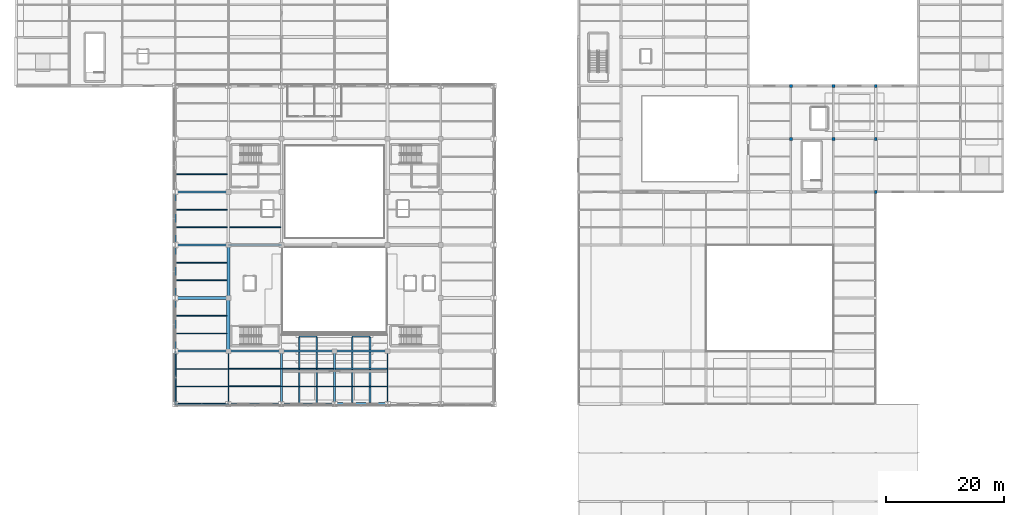
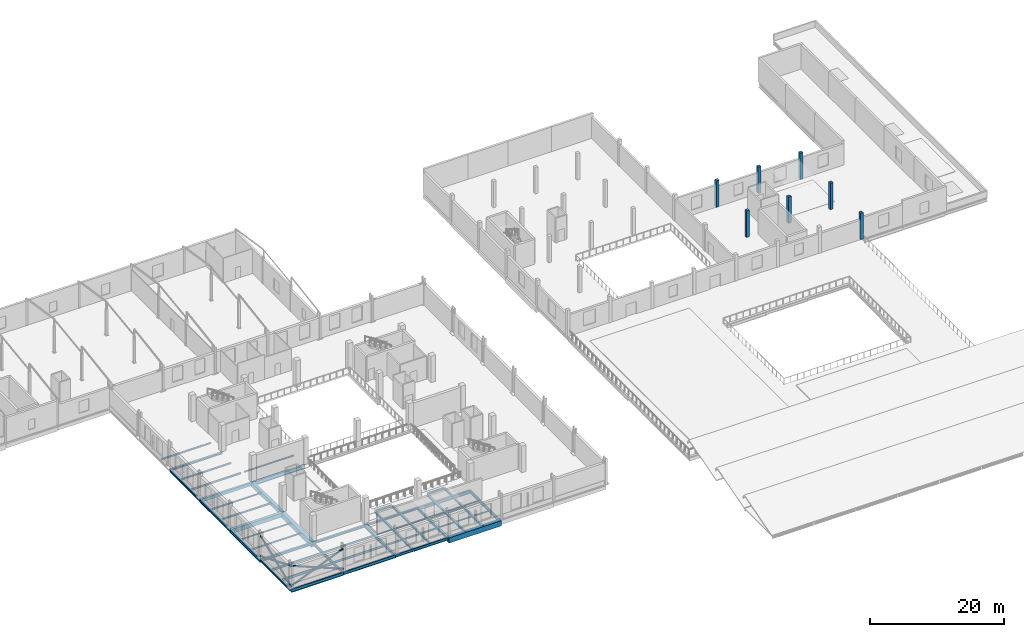
# One storey, part 8 of 54: 44 beams, 7 columns, 6 members.
"""IFC4 building model written with IfcOpenShell, lengths in metres."""

from ifc_helpers import new_model, si_unit, direction, frame, origin, origin_2d, place, context, subcontext, project, spatial, rectangle, hollow_circle, i_section, extrude, material, material_profile, profile_set, type_object, element, save


model = new_model("IFC4")

# Units and contexts
model_context = context("Model", 3, precision=1e-05, world=origin(), true_north=direction((0.0, 1.0)))
body_context = subcontext(model_context, "Body", "Model", "MODEL_VIEW")
ifc_project = project(units=[si_unit("LENGTHUNIT", "METRE"), si_unit("AREAUNIT", "SQUARE_METRE"), si_unit("VOLUMEUNIT", "CUBIC_METRE"), si_unit("PLANEANGLEUNIT", "RADIAN"), si_unit("MASSUNIT", "GRAM", prefix="KILO")], contexts=[model_context])

# Site, building, storey
site_placement = place(None, origin())
site = spatial("IfcSite", under=ifc_project, at=site_placement, CompositionType="ELEMENT")
building_placement = place(site_placement, origin())
building = spatial("IfcBuilding", under=site, at=building_placement, Name="Sundgate Opera House", CompositionType="ELEMENT")
storey_placement = place(building_placement, frame((0.0, 0.0, 16.800048828125)))
storey = spatial("IfcBuildingStorey", under=building, at=storey_placement, Name="L03", CompositionType="ELEMENT", Elevation=16.800048828125)

# Columns
ifc_material_1 = material(Name="Concrete C35/45", Category="concrete")
ifc_material_profile_1 = material_profile(ifc_material_1, rectangle(XDim=0.5, YDim=0.5, at=origin_2d()), Name="RC 500x500")
ifc_profile_set_1 = profile_set([ifc_material_profile_1], Name="Concrete C35/45")
column_type = type_object("IfcColumnType", Name="CL-RC-500", PredefinedType="COLUMN", material=ifc_profile_set_1)
for number, where, z_axis, x_axis, name in (
    (1, (131.39990234375, 78.0, 0.0), (0.0, 0.0, 1.0), (1.0, 0.0, 0.0), "L03 Column C0981"),
    (2, (131.39990234375, 87.0, 0.0), (0.0, 0.0, 1.0), (1.0, 0.0, 0.0), "L03 Column C0987"),
    (3, (138.60009765625, 78.0, 0.0), (0.0, 0.0, 1.0), (1.0, 0.0, 0.0), "L03 Column C1035"),
    (4, (138.60009765625, 87.0, 0.0), (0.0, 0.0, 1.0), (1.0, 0.0, 0.0), "L03 Column C1041"),
    (5, (145.800048828125, 69.0, 0.0), (0.0, 0.0, 1.0), (1.0, 0.0, 0.0), "L03 Column C1083"),
    (6, (145.800048828125, 78.0, 0.0), (0.0, 0.0, 1.0), (1.0, 0.0, 0.0), "L03 Column C1089"),
    (7, (145.800048828125, 87.0, 0.0), (0.0, 0.0, 1.0), (1.0, 0.0, 0.0), "L03 Column C1095"),
):
    element("IfcColumn", number, at=place(storey_placement, frame(where, z_axis=z_axis, x_axis=x_axis)), inside=storey, type_object=column_type, Name=name, PredefinedType="COLUMN", context=body_context, shape_type="SweptSolid", body=[
        extrude(rectangle(XDim=0.5, YDim=0.5, at=origin_2d()), origin(), (0.0, 0.0, 1.0), 4.800048828125),
    ])

# Beams
ifc_material_2 = material(Name="Steel S355J2", Category="steel")
ifc_material_profile_2 = material_profile(ifc_material_2, i_section(OverallWidth=0.300048828125, OverallDepth=0.35009765625, WebThickness=0.010009765625, FlangeThickness=0.017578125, at=origin_2d()), Name="HEA 360")
ifc_profile_set_2 = profile_set([ifc_material_profile_2], Name="Steel S355J2")
beam_type_1 = type_object("IfcBeamType", Name="BM-GR-HEA360", PredefinedType="BEAM", material=ifc_profile_set_2)
beam_1_placement = place(storey_placement, frame((27.0, 69.0, -0.455078125), z_axis=(1.0, 0.0, 0.0), x_axis=(0.0, 1.0, 0.0)))
element("IfcBeam", 8, at=beam_1_placement, inside=storey, type_object=beam_type_1, Name="L03 Primary E-W Girder B2621", PredefinedType="BEAM", context=body_context, shape_type="SweptSolid", body=[
    extrude(i_section(OverallWidth=0.300048828125, OverallDepth=0.35009765625, WebThickness=0.010009765625, FlangeThickness=0.017578125, at=origin_2d()), origin(), (0.0, 0.0, 1.0), 9.0),
])
ifc_material_3 = material(Name="Steel S355J2", Category="steel")
ifc_material_profile_3 = material_profile(ifc_material_3, i_section(OverallWidth=0.300048828125, OverallDepth=0.43994140625, WebThickness=0.011474609375, FlangeThickness=0.02099609375, at=origin_2d()), Name="HEA 450")
ifc_profile_set_3 = profile_set([ifc_material_profile_3], Name="Steel S355J2")
beam_type_2 = type_object("IfcBeamType", Name="BM-GR-HEA450", PredefinedType="BEAM", material=ifc_profile_set_3)
for number, where, z_axis, x_axis, name in (
    (9, (27.0, 60.0, -0.5), (0.0, 1.0, 0.0), (-1.0, 0.0, 0.0), "L03 Primary N-S Girder B2465"),
    (10, (54.0, 33.0, -0.5), (0.0, 1.0, 0.0), (-1.0, 0.0, 0.0), "L03 Primary N-S Girder B2487"),
):
    element("IfcBeam", number, at=place(storey_placement, frame(where, z_axis=z_axis, x_axis=x_axis)), inside=storey, type_object=beam_type_2, Name=name, PredefinedType="BEAM", context=body_context, shape_type="SweptSolid", body=[
        extrude(i_section(OverallWidth=0.300048828125, OverallDepth=0.43994140625, WebThickness=0.011474609375, FlangeThickness=0.02099609375, at=origin_2d()), origin(), (0.0, 0.0, 1.0), 9.0),
    ])
ifc_material_4 = material(Name="Steel S355J2", Category="steel")
ifc_material_profile_4 = material_profile(ifc_material_4, i_section(OverallWidth=0.300048828125, OverallDepth=0.489990234375, WebThickness=0.011962890625, FlangeThickness=0.02294921875, at=origin_2d()), Name="HEA 500")
ifc_profile_set_4 = profile_set([ifc_material_profile_4], Name="Steel S355J2")
beam_type_3 = type_object("IfcBeamType", Name="BM-GR-HEA500", PredefinedType="BEAM", material=ifc_profile_set_4)
beam_2_placement = place(storey_placement, frame((27.0, 51.0, -0.525146484375), z_axis=(0.0, 1.0, 0.0), x_axis=(-1.0, 0.0, 0.0)))
element("IfcBeam", 11, at=beam_2_placement, inside=storey, type_object=beam_type_3, Name="L03 Primary N-S Girder B2464", PredefinedType="BEAM", context=body_context, shape_type="SweptSolid", body=[
    extrude(i_section(OverallWidth=0.300048828125, OverallDepth=0.489990234375, WebThickness=0.011962890625, FlangeThickness=0.02294921875, at=origin_2d()), origin(), (0.0, 0.0, 1.0), 9.0),
])
ifc_material_5 = material(Name="Steel S355J2", Category="steel")
ifc_material_profile_5 = material_profile(ifc_material_5, i_section(OverallWidth=0.300048828125, OverallDepth=0.590087890625, WebThickness=0.012939453125, FlangeThickness=0.02490234375, at=origin_2d()), Name="HEA 600")
ifc_profile_set_5 = profile_set([ifc_material_profile_5], Name="Steel S355J2")
beam_type_4 = type_object("IfcBeamType", Name="BM-GR-HEA600", PredefinedType="BEAM", material=ifc_profile_set_5)
for number, where, z_axis, x_axis, name in (
    (12, (27.0, 42.0, -0.574951171875), (0.0, 1.0, 0.0), (-1.0, 0.0, 0.0), "L03 Primary N-S Girder B2463"),
    (13, (54.0, 42.0, -0.574951171875), (1.0, 0.0, 0.0), (0.0, 1.0, 0.0), "L03 Primary E-W Girder B2595"),
):
    element("IfcBeam", number, at=place(storey_placement, frame(where, z_axis=z_axis, x_axis=x_axis)), inside=storey, type_object=beam_type_4, Name=name, PredefinedType="BEAM", context=body_context, shape_type="SweptSolid", body=[
        extrude(i_section(OverallWidth=0.300048828125, OverallDepth=0.590087890625, WebThickness=0.012939453125, FlangeThickness=0.02490234375, at=origin_2d()), origin(), (0.0, 0.0, 1.0), 9.0),
    ])
ifc_material_6 = material(Name="Steel S355J2", Category="steel")
ifc_material_profile_6 = material_profile(ifc_material_6, i_section(OverallWidth=0.300048828125, OverallDepth=0.360107421875, WebThickness=0.012451171875, FlangeThickness=0.0224609375, at=origin_2d()), Name="HEB 360")
ifc_profile_set_6 = profile_set([ifc_material_profile_6], Name="Steel S355J2")
beam_type_5 = type_object("IfcBeamType", Name="BM-GR-HEB360", PredefinedType="BEAM", material=ifc_profile_set_6)
for number, where, z_axis, x_axis, name in (
    (14, (27.0, 33.0, -0.4599609375), (0.0, 1.0, 0.0), (-1.0, 0.0, 0.0), "L03 Primary N-S Girder B2462"),
    (15, (45.0, 42.0, -0.4599609375), (1.0, 0.0, 0.0), (0.0, 1.0, 0.0), "L03 Primary E-W Girder B2594"),
):
    element("IfcBeam", number, at=place(storey_placement, frame(where, z_axis=z_axis, x_axis=x_axis)), inside=storey, type_object=beam_type_5, Name=name, PredefinedType="BEAM", context=body_context, shape_type="SweptSolid", body=[
        extrude(i_section(OverallWidth=0.300048828125, OverallDepth=0.360107421875, WebThickness=0.012451171875, FlangeThickness=0.0224609375, at=origin_2d()), origin(), (0.0, 0.0, 1.0), 9.0),
    ])
ifc_material_7 = material(Name="Steel S355J2", Category="steel")
ifc_material_profile_7 = material_profile(ifc_material_7, i_section(OverallWidth=0.300048828125, OverallDepth=0.39990234375, WebThickness=0.013427734375, FlangeThickness=0.02392578125, at=origin_2d()), Name="HEB 400")
ifc_profile_set_7 = profile_set([ifc_material_profile_7], Name="Steel S355J2")
beam_type_6 = type_object("IfcBeamType", Name="BM-GR-HEB400", PredefinedType="BEAM", material=ifc_profile_set_7)
beam_3_placement = place(storey_placement, frame((36.0, 42.0, -0.47998046875), z_axis=(1.0, 0.0, 0.0), x_axis=(0.0, 1.0, 0.0)))
element("IfcBeam", 16, at=beam_3_placement, inside=storey, type_object=beam_type_6, Name="L03 Primary E-W Girder B2593", PredefinedType="BEAM", context=body_context, shape_type="SweptSolid", body=[
    extrude(i_section(OverallWidth=0.300048828125, OverallDepth=0.39990234375, WebThickness=0.013427734375, FlangeThickness=0.02392578125, at=origin_2d()), origin(), (0.0, 0.0, 1.0), 9.0),
])
ifc_material_8 = material(Name="Steel S355J2", Category="steel")
ifc_material_profile_8 = material_profile(ifc_material_8, i_section(OverallWidth=0.300048828125, OverallDepth=0.449951171875, WebThickness=0.013916015625, FlangeThickness=0.02587890625, at=origin_2d()), Name="HEB 450")
ifc_profile_set_8 = profile_set([ifc_material_profile_8], Name="Steel S355J2")
beam_type_7 = type_object("IfcBeamType", Name="BM-GR-HEB450", PredefinedType="BEAM", material=ifc_profile_set_8)
beam_4_placement = place(storey_placement, frame((27.0, 42.0, -0.505126953125), z_axis=(1.0, 0.0, 0.0), x_axis=(0.0, 1.0, 0.0)))
element("IfcBeam", 17, at=beam_4_placement, inside=storey, type_object=beam_type_7, Name="L03 Primary E-W Girder B2592", PredefinedType="BEAM", context=body_context, shape_type="SweptSolid", body=[
    extrude(i_section(OverallWidth=0.300048828125, OverallDepth=0.449951171875, WebThickness=0.013916015625, FlangeThickness=0.02587890625, at=origin_2d()), origin(), (0.0, 0.0, 1.0), 9.0),
])
ifc_material_9 = material(Name="Steel S355J2", Category="steel")
ifc_material_profile_9 = material_profile(ifc_material_9, i_section(OverallWidth=0.300048828125, OverallDepth=0.550048828125, WebThickness=0.014892578125, FlangeThickness=0.029052734375, at=origin_2d()), Name="HEB 550")
ifc_profile_set_9 = profile_set([ifc_material_profile_9], Name="Steel S355J2")
beam_type_8 = type_object("IfcBeamType", Name="BM-GR-HEB550", PredefinedType="BEAM", material=ifc_profile_set_9)
beam_5_placement = place(storey_placement, frame((45.0, 33.0, -0.554931640625), z_axis=(0.0, 1.0, 0.0), x_axis=(-1.0, 0.0, 0.0)))
element("IfcBeam", 18, at=beam_5_placement, inside=storey, type_object=beam_type_8, Name="L03 Primary N-S Girder B2480", PredefinedType="BEAM", context=body_context, shape_type="SweptSolid", body=[
    extrude(i_section(OverallWidth=0.300048828125, OverallDepth=0.550048828125, WebThickness=0.014892578125, FlangeThickness=0.029052734375, at=origin_2d()), origin(), (0.0, 0.0, 1.0), 9.0),
])
ifc_material_10 = material(Name="Steel S355J2", Category="steel")
ifc_material_profile_10 = material_profile(ifc_material_10, i_section(OverallWidth=0.300048828125, OverallDepth=0.699951171875, WebThickness=0.01708984375, FlangeThickness=0.031982421875, at=origin_2d()), Name="HEB 700")
ifc_profile_set_10 = profile_set([ifc_material_profile_10], Name="Steel S355J2")
beam_type_9 = type_object("IfcBeamType", Name="BM-GR-HEB700", PredefinedType="BEAM", material=ifc_profile_set_10)
beam_6_placement = place(storey_placement, frame((36.0, 60.0, -0.630126953125), z_axis=(1.0, 0.0, 0.0), x_axis=(0.0, 1.0, 0.0)))
element("IfcBeam", 19, at=beam_6_placement, inside=storey, type_object=beam_type_9, Name="L03 Primary E-W Girder B2609", PredefinedType="BEAM", context=body_context, shape_type="SweptSolid", body=[
    extrude(i_section(OverallWidth=0.300048828125, OverallDepth=0.699951171875, WebThickness=0.01708984375, FlangeThickness=0.031982421875, at=origin_2d()), origin(), (0.0, 0.0, 1.0), 9.0),
])
ifc_material_11 = material(Name="Steel S355J2", Category="steel")
ifc_material_profile_11 = material_profile(ifc_material_11, i_section(OverallWidth=0.199951171875, OverallDepth=0.5, WebThickness=0.01025390625, FlangeThickness=0.01611328125, at=origin_2d()), Name="IPE 500")
ifc_profile_set_11 = profile_set([ifc_material_profile_11], Name="Steel S355J2")
beam_type_10 = type_object("IfcBeamType", Name="BM-GR-IPE500", PredefinedType="BEAM", material=ifc_profile_set_11)
for number, where, z_axis, x_axis, name in (
    (20, (36.0, 33.0, -0.530029296875), (0.0, 1.0, 0.0), (-1.0, 0.0, 0.0), "L03 Primary N-S Girder B2471"),
    (21, (45.0, 33.0, -0.530029296875), (1.0, 0.0, 0.0), (0.0, 1.0, 0.0), "L03 Primary E-W Girder B2581"),
):
    element("IfcBeam", number, at=place(storey_placement, frame(where, z_axis=z_axis, x_axis=x_axis)), inside=storey, type_object=beam_type_10, Name=name, PredefinedType="BEAM", context=body_context, shape_type="SweptSolid", body=[
        extrude(i_section(OverallWidth=0.199951171875, OverallDepth=0.5, WebThickness=0.01025390625, FlangeThickness=0.01611328125, at=origin_2d()), origin(), (0.0, 0.0, 1.0), 9.0),
    ])
ifc_material_12 = material(Name="Steel S355J2", Category="steel")
ifc_material_profile_12 = material_profile(ifc_material_12, i_section(OverallWidth=0.2099609375, OverallDepth=0.550048828125, WebThickness=0.010986328125, FlangeThickness=0.01708984375, at=origin_2d()), Name="IPE 550")
ifc_profile_set_12 = profile_set([ifc_material_profile_12], Name="Steel S355J2")
beam_type_11 = type_object("IfcBeamType", Name="BM-GR-IPE550", PredefinedType="BEAM", material=ifc_profile_set_12)
for number, where, z_axis, x_axis, name in (
    (22, (63.0, 33.0, -0.554931640625), (0.0, 1.0, 0.0), (-1.0, 0.0, 0.0), "L03 Primary N-S Girder B2492"),
    (23, (36.0, 33.0, -0.554931640625), (1.0, 0.0, 0.0), (0.0, 1.0, 0.0), "L03 Primary E-W Girder B2580"),
):
    element("IfcBeam", number, at=place(storey_placement, frame(where, z_axis=z_axis, x_axis=x_axis)), inside=storey, type_object=beam_type_11, Name=name, PredefinedType="BEAM", context=body_context, shape_type="SweptSolid", body=[
        extrude(i_section(OverallWidth=0.2099609375, OverallDepth=0.550048828125, WebThickness=0.010986328125, FlangeThickness=0.01708984375, at=origin_2d()), origin(), (0.0, 0.0, 1.0), 9.0),
    ])
ifc_material_13 = material(Name="Steel S355J2", Category="steel")
ifc_material_profile_13 = material_profile(ifc_material_13, i_section(OverallWidth=0.219970703125, OverallDepth=0.60009765625, WebThickness=0.011962890625, FlangeThickness=0.01904296875, at=origin_2d()), Name="IPE 600")
ifc_profile_set_13 = profile_set([ifc_material_profile_13], Name="Steel S355J2")
beam_type_12 = type_object("IfcBeamType", Name="BM-GR-IPE600", PredefinedType="BEAM", material=ifc_profile_set_13)
beam_7_placement = place(storey_placement, frame((27.0, 33.0, -0.580078125), z_axis=(1.0, 0.0, 0.0), x_axis=(0.0, 1.0, 0.0)))
element("IfcBeam", 24, at=beam_7_placement, inside=storey, type_object=beam_type_12, Name="L03 Primary E-W Girder B2579", PredefinedType="BEAM", context=body_context, shape_type="SweptSolid", body=[
    extrude(i_section(OverallWidth=0.219970703125, OverallDepth=0.60009765625, WebThickness=0.011962890625, FlangeThickness=0.01904296875, at=origin_2d()), origin(), (0.0, 0.0, 1.0), 9.0),
])
ifc_material_14 = material(Name="Steel S355J2", Category="steel")
ifc_material_profile_14 = material_profile(ifc_material_14, i_section(OverallWidth=0.1201171875, OverallDepth=0.239990234375, WebThickness=0.006103515625, FlangeThickness=0.009765625, at=origin_2d()), Name="IPE 240")
ifc_profile_set_14 = profile_set([ifc_material_profile_14], Name="Steel S355J2")
beam_type_13 = type_object("IfcBeamType", Name="BM-JS-IPE240", PredefinedType="JOIST", material=ifc_profile_set_14)
beam_8_placement = place(storey_placement, frame((54.14990234375, 36.0, -0.400146484375), z_axis=(1.0, 0.0, 0.0), x_axis=(0.0, 1.0, 0.0)))
element("IfcBeam", 25, at=beam_8_placement, inside=storey, type_object=beam_type_13, Name="L03 Secondary Floor Joist B2712", PredefinedType="JOIST", context=body_context, shape_type="SweptSolid", body=[
    extrude(i_section(OverallWidth=0.1201171875, OverallDepth=0.239990234375, WebThickness=0.006103515625, FlangeThickness=0.009765625, at=origin_2d()), origin(), (0.0, 0.0, 1.0), 8.7451171875),
])
beam_9_placement = place(storey_placement, frame((27.14990234375, 48.0, -0.400146484375), z_axis=(1.0, 0.0, 0.0), x_axis=(0.0, 1.0, 0.0)))
element("IfcBeam", 26, at=beam_9_placement, inside=storey, type_object=beam_type_13, Name="L03 Secondary Floor Joist B2733", PredefinedType="JOIST", context=body_context, shape_type="SweptSolid", body=[
    extrude(i_section(OverallWidth=0.1201171875, OverallDepth=0.239990234375, WebThickness=0.006103515625, FlangeThickness=0.009765625, at=origin_2d()), origin(), (0.0, 0.0, 1.0), 8.550048828125),
])
ifc_material_15 = material(Name="Steel S355J2", Category="steel")
ifc_material_profile_15 = material_profile(ifc_material_15, i_section(OverallWidth=0.135009765625, OverallDepth=0.27001953125, WebThickness=0.006591796875, FlangeThickness=0.01025390625, at=origin_2d()), Name="IPE 270")
ifc_profile_set_15 = profile_set([ifc_material_profile_15], Name="Steel S355J2")
beam_type_14 = type_object("IfcBeamType", Name="BM-JS-IPE270", PredefinedType="JOIST", material=ifc_profile_set_15)
beam_10_placement = place(storey_placement, frame((45.14990234375, 39.0, -0.4150390625), z_axis=(1.0, 0.0, 0.0), x_axis=(0.0, 1.0, 0.0)))
element("IfcBeam", 27, at=beam_10_placement, inside=storey, type_object=beam_type_14, Name="L03 Secondary Floor Joist B2711", PredefinedType="JOIST", context=body_context, shape_type="SweptSolid", body=[
    extrude(i_section(OverallWidth=0.135009765625, OverallDepth=0.27001953125, WebThickness=0.006591796875, FlangeThickness=0.01025390625, at=origin_2d()), origin(), (0.0, 0.0, 1.0), 8.7001953125),
])
beam_11_placement = place(storey_placement, frame((27.14990234375, 45.0, -0.4150390625), z_axis=(1.0, 0.0, 0.0), x_axis=(0.0, 1.0, 0.0)))
element("IfcBeam", 28, at=beam_11_placement, inside=storey, type_object=beam_type_14, Name="L03 Secondary Floor Joist B2732", PredefinedType="JOIST", context=body_context, shape_type="SweptSolid", body=[
    extrude(i_section(OverallWidth=0.135009765625, OverallDepth=0.27001953125, WebThickness=0.006591796875, FlangeThickness=0.01025390625, at=origin_2d()), origin(), (0.0, 0.0, 1.0), 8.550048828125),
])
beam_12_placement = place(storey_placement, frame((27.14990234375, 57.0, -0.4150390625), z_axis=(1.0, 0.0, 0.0), x_axis=(0.0, 1.0, 0.0)))
element("IfcBeam", 29, at=beam_12_placement, inside=storey, type_object=beam_type_14, Name="L03 Secondary Floor Joist B2739", PredefinedType="JOIST", context=body_context, shape_type="SweptSolid", body=[
    extrude(i_section(OverallWidth=0.135009765625, OverallDepth=0.27001953125, WebThickness=0.006591796875, FlangeThickness=0.01025390625, at=origin_2d()), origin(), (0.0, 0.0, 1.0), 8.60009765625),
])
beam_13_placement = place(storey_placement, frame((36.22509765625, 63.0, -0.4150390625), z_axis=(1.0, 0.0, 0.0), x_axis=(0.0, 1.0, 0.0)))
element("IfcBeam", 30, at=beam_13_placement, inside=storey, type_object=beam_type_14, Name="L03 Secondary Floor Joist B2746", PredefinedType="JOIST", context=body_context, shape_type="SweptSolid", body=[
    extrude(i_section(OverallWidth=0.135009765625, OverallDepth=0.27001953125, WebThickness=0.006591796875, FlangeThickness=0.01025390625, at=origin_2d()), origin(), (0.0, 0.0, 1.0), 8.625),
])
ifc_material_16 = material(Name="Steel S355J2", Category="steel")
ifc_material_profile_16 = material_profile(ifc_material_16, i_section(OverallWidth=0.14990234375, OverallDepth=0.300048828125, WebThickness=0.007080078125, FlangeThickness=0.0107421875, at=origin_2d()), Name="IPE 300")
ifc_profile_set_16 = profile_set([ifc_material_profile_16], Name="Steel S355J2")
beam_type_15 = type_object("IfcBeamType", Name="BM-JS-IPE300", PredefinedType="JOIST", material=ifc_profile_set_16)
beam_14_placement = place(storey_placement, frame((45.14990234375, 36.0, -0.429931640625), z_axis=(1.0, 0.0, 0.0), x_axis=(0.0, 1.0, 0.0)))
element("IfcBeam", 31, at=beam_14_placement, inside=storey, type_object=beam_type_15, Name="L03 Secondary Floor Joist B2710", PredefinedType="JOIST", context=body_context, shape_type="SweptSolid", body=[
    extrude(i_section(OverallWidth=0.14990234375, OverallDepth=0.300048828125, WebThickness=0.007080078125, FlangeThickness=0.0107421875, at=origin_2d()), origin(), (0.0, 0.0, 1.0), 8.7001953125),
])
beam_15_placement = place(storey_placement, frame((27.14990234375, 54.0, -0.429931640625), z_axis=(1.0, 0.0, 0.0), x_axis=(0.0, 1.0, 0.0)))
element("IfcBeam", 32, at=beam_15_placement, inside=storey, type_object=beam_type_15, Name="L03 Secondary Floor Joist B2738", PredefinedType="JOIST", context=body_context, shape_type="SweptSolid", body=[
    extrude(i_section(OverallWidth=0.14990234375, OverallDepth=0.300048828125, WebThickness=0.007080078125, FlangeThickness=0.0107421875, at=origin_2d()), origin(), (0.0, 0.0, 1.0), 8.60009765625),
])
beam_16_placement = place(storey_placement, frame((27.14990234375, 66.0, -0.429931640625), z_axis=(1.0, 0.0, 0.0), x_axis=(0.0, 1.0, 0.0)))
element("IfcBeam", 33, at=beam_16_placement, inside=storey, type_object=beam_type_15, Name="L03 Secondary Floor Joist B2745", PredefinedType="JOIST", context=body_context, shape_type="SweptSolid", body=[
    extrude(i_section(OverallWidth=0.14990234375, OverallDepth=0.300048828125, WebThickness=0.007080078125, FlangeThickness=0.0107421875, at=origin_2d()), origin(), (0.0, 0.0, 1.0), 8.625),
])
beam_17_placement = place(storey_placement, frame((27.14990234375, 72.0, -0.429931640625), z_axis=(1.0, 0.0, 0.0), x_axis=(0.0, 1.0, 0.0)))
element("IfcBeam", 34, at=beam_17_placement, inside=storey, type_object=beam_type_15, Name="L03 Secondary Floor Joist B2766", PredefinedType="JOIST", context=body_context, shape_type="SweptSolid", body=[
    extrude(i_section(OverallWidth=0.14990234375, OverallDepth=0.300048828125, WebThickness=0.007080078125, FlangeThickness=0.0107421875, at=origin_2d()), origin(), (0.0, 0.0, 1.0), 8.650146484375),
])
ifc_material_17 = material(Name="Steel S355J2", Category="steel")
ifc_material_profile_17 = material_profile(ifc_material_17, i_section(OverallWidth=0.159912109375, OverallDepth=0.330078125, WebThickness=0.007568359375, FlangeThickness=0.011474609375, at=origin_2d()), Name="IPE 330")
ifc_profile_set_17 = profile_set([ifc_material_profile_17], Name="Steel S355J2")
beam_type_16 = type_object("IfcBeamType", Name="BM-JS-IPE330", PredefinedType="JOIST", material=ifc_profile_set_17)
beam_18_placement = place(storey_placement, frame((36.10009765625, 39.0, -0.445068359375), z_axis=(1.0, 0.0, 0.0), x_axis=(0.0, 1.0, 0.0)))
element("IfcBeam", 35, at=beam_18_placement, inside=storey, type_object=beam_type_16, Name="L03 Secondary Floor Joist B2709", PredefinedType="JOIST", context=body_context, shape_type="SweptSolid", body=[
    extrude(i_section(OverallWidth=0.159912109375, OverallDepth=0.330078125, WebThickness=0.007568359375, FlangeThickness=0.011474609375, at=origin_2d()), origin(), (0.0, 0.0, 1.0), 8.75),
])
beam_19_placement = place(storey_placement, frame((27.14990234375, 63.0, -0.445068359375), z_axis=(1.0, 0.0, 0.0), x_axis=(0.0, 1.0, 0.0)))
element("IfcBeam", 36, at=beam_19_placement, inside=storey, type_object=beam_type_16, Name="L03 Secondary Floor Joist B2744", PredefinedType="JOIST", context=body_context, shape_type="SweptSolid", body=[
    extrude(i_section(OverallWidth=0.159912109375, OverallDepth=0.330078125, WebThickness=0.007568359375, FlangeThickness=0.011474609375, at=origin_2d()), origin(), (0.0, 0.0, 1.0), 8.625),
])
ifc_material_18 = material(Name="Steel S355J2", Category="steel")
ifc_material_profile_18 = material_profile(ifc_material_18, i_section(OverallWidth=0.169921875, OverallDepth=0.360107421875, WebThickness=0.008056640625, FlangeThickness=0.0126953125, at=origin_2d()), Name="IPE 360")
ifc_profile_set_18 = profile_set([ifc_material_profile_18], Name="Steel S355J2")
beam_type_17 = type_object("IfcBeamType", Name="BM-JS-IPE360", PredefinedType="JOIST", material=ifc_profile_set_18)
beam_20_placement = place(storey_placement, frame((36.10009765625, 36.0, -0.4599609375), z_axis=(1.0, 0.0, 0.0), x_axis=(0.0, 1.0, 0.0)))
element("IfcBeam", 37, at=beam_20_placement, inside=storey, type_object=beam_type_17, Name="L03 Secondary Floor Joist B2708", PredefinedType="JOIST", context=body_context, shape_type="SweptSolid", body=[
    extrude(i_section(OverallWidth=0.169921875, OverallDepth=0.360107421875, WebThickness=0.008056640625, FlangeThickness=0.0126953125, at=origin_2d()), origin(), (0.0, 0.0, 1.0), 8.75),
])
ifc_material_19 = material(Name="Steel S355J2", Category="steel")
ifc_material_profile_19 = material_profile(ifc_material_19, i_section(OverallWidth=0.179931640625, OverallDepth=0.39990234375, WebThickness=0.008544921875, FlangeThickness=0.013427734375, at=origin_2d()), Name="IPE 400")
ifc_profile_set_19 = profile_set([ifc_material_profile_19], Name="Steel S355J2")
beam_type_18 = type_object("IfcBeamType", Name="BM-JS-IPE400", PredefinedType="JOIST", material=ifc_profile_set_19)
beam_21_placement = place(storey_placement, frame((27.14990234375, 39.0, -0.47998046875), z_axis=(1.0, 0.0, 0.0), x_axis=(0.0, 1.0, 0.0)))
element("IfcBeam", 38, at=beam_21_placement, inside=storey, type_object=beam_type_18, Name="L03 Secondary Floor Joist B2707", PredefinedType="JOIST", context=body_context, shape_type="SweptSolid", body=[
    extrude(i_section(OverallWidth=0.179931640625, OverallDepth=0.39990234375, WebThickness=0.008544921875, FlangeThickness=0.013427734375, at=origin_2d()), origin(), (0.0, 0.0, 1.0), 8.75),
])
ifc_material_20 = material(Name="Steel S355J2", Category="steel")
ifc_material_profile_20 = material_profile(ifc_material_20, i_section(OverallWidth=0.18994140625, OverallDepth=0.449951171875, WebThickness=0.009521484375, FlangeThickness=0.0146484375, at=origin_2d()), Name="IPE 450")
ifc_profile_set_20 = profile_set([ifc_material_profile_20], Name="Steel S355J2")
beam_type_19 = type_object("IfcBeamType", Name="BM-JS-IPE450", PredefinedType="JOIST", material=ifc_profile_set_20)
beam_22_placement = place(storey_placement, frame((27.14990234375, 36.0, -0.505126953125), z_axis=(1.0, 0.0, 0.0), x_axis=(0.0, 1.0, 0.0)))
element("IfcBeam", 39, at=beam_22_placement, inside=storey, type_object=beam_type_19, Name="L03 Secondary Floor Joist B2706", PredefinedType="JOIST", context=body_context, shape_type="SweptSolid", body=[
    extrude(i_section(OverallWidth=0.18994140625, OverallDepth=0.449951171875, WebThickness=0.009521484375, FlangeThickness=0.0146484375, at=origin_2d()), origin(), (0.0, 0.0, 1.0), 8.75),
])
beam_23_placement = place(storey_placement, frame((54.14990234375, 39.0, -0.505126953125), z_axis=(1.0, 0.0, 0.0), x_axis=(0.0, 1.0, 0.0)))
element("IfcBeam", 40, at=beam_23_placement, inside=storey, type_object=beam_type_19, Name="L03 Secondary Floor Joist B2713", PredefinedType="JOIST", context=body_context, shape_type="SweptSolid", body=[
    extrude(i_section(OverallWidth=0.18994140625, OverallDepth=0.449951171875, WebThickness=0.009521484375, FlangeThickness=0.0146484375, at=origin_2d()), origin(), (0.0, 0.0, 1.0), 8.7451171875),
])
ifc_material_21 = material(Name="Concrete C35/45", Category="concrete")
ifc_material_profile_21 = material_profile(ifc_material_21, rectangle(XDim=0.35009765625, YDim=0.550048828125, at=origin_2d()), Name="RC 350x550")
ifc_profile_set_21 = profile_set([ifc_material_profile_21], Name="Concrete C35/45")
beam_type_20 = type_object("IfcBeamType", Name="BM-RC-350x550", PredefinedType="BEAM", material=ifc_profile_set_21)
beam_24_placement = place(storey_placement, frame((27.0, 60.0, -0.554931640625), z_axis=(1.0, 0.0, 0.0), x_axis=(0.0, 1.0, 0.0)))
element("IfcBeam", 41, at=beam_24_placement, inside=storey, type_object=beam_type_20, Name="L03 Primary E-W Girder B2608", PredefinedType="BEAM", context=body_context, shape_type="SweptSolid", body=[
    extrude(rectangle(XDim=0.35009765625, YDim=0.550048828125, at=origin_2d()), origin(), (0.0, 0.0, 1.0), 9.0),
])
ifc_material_22 = material(Name="Concrete C40/50", Category="concrete")
ifc_material_profile_22 = material_profile(ifc_material_22, rectangle(XDim=0.5, YDim=0.75, at=origin_2d()), Name="RC 500x750")
ifc_profile_set_22 = profile_set([ifc_material_profile_22], Name="Concrete C40/50")
beam_type_21 = type_object("IfcBeamType", Name="BM-RC-500x750", PredefinedType="BEAM", material=ifc_profile_set_22)
for number, where, z_axis, x_axis, name in (
    (42, (36.0, 51.0, -0.655029296875), (0.0, 1.0, 0.0), (-1.0, 0.0, 0.0), "L03 Primary N-S Girder B2473"),
    (43, (27.0, 51.0, -0.655029296875), (1.0, 0.0, 0.0), (0.0, 1.0, 0.0), "L03 Primary E-W Girder B2605"),
):
    element("IfcBeam", number, at=place(storey_placement, frame(where, z_axis=z_axis, x_axis=x_axis)), inside=storey, type_object=beam_type_21, Name=name, PredefinedType="BEAM", context=body_context, shape_type="SweptSolid", body=[
        extrude(rectangle(XDim=0.5, YDim=0.75, at=origin_2d()), origin(), (0.0, 0.0, 1.0), 9.0),
    ])
ifc_material_23 = material(Name="Concrete C40/50", Category="concrete")
ifc_material_profile_23 = material_profile(ifc_material_23, rectangle(XDim=0.60009765625, YDim=0.949951171875, at=origin_2d()), Name="RC 600x950")
ifc_profile_set_23 = profile_set([ifc_material_profile_23], Name="Concrete C40/50")
beam_type_22 = type_object("IfcBeamType", Name="BM-RC-600x950", PredefinedType="BEAM", material=ifc_profile_set_23)
for number, where, z_axis, x_axis, name in (
    (44, (36.0, 42.0, -0.755126953125), (0.0, 1.0, 0.0), (-1.0, 0.0, 0.0), "L03 Primary N-S Girder B2472"),
    (45, (54.0, 33.0, -0.755126953125), (1.0, 0.0, 0.0), (0.0, 1.0, 0.0), "L03 Primary E-W Girder B2582"),
):
    element("IfcBeam", number, at=place(storey_placement, frame(where, z_axis=z_axis, x_axis=x_axis)), inside=storey, type_object=beam_type_22, Name=name, PredefinedType="BEAM", context=body_context, shape_type="SweptSolid", body=[
        extrude(rectangle(XDim=0.60009765625, YDim=0.949951171875, at=origin_2d()), origin(), (0.0, 0.0, 1.0), 9.0),
    ])
ifc_material_24 = material(Name="Steel S355J2", Category="steel")
ifc_material_profile_24 = material_profile(ifc_material_24, i_section(OverallWidth=0.260009765625, OverallDepth=0.260009765625, WebThickness=0.010009765625, FlangeThickness=0.017578125, at=origin_2d()), Name="HEB 260")
ifc_profile_set_24 = profile_set([ifc_material_profile_24], Name="Steel S355J2")
beam_type_23 = type_object("IfcBeamType", Name="BM-RK-HEB260", PredefinedType="USERDEFINED", material=ifc_profile_set_24)
for number, where, z_axis, x_axis, name in (
    (46, (48.0, 44.5, -0.41015625), (1.0, 0.0, 0.0), (0.0, 1.0, 0.0), "L03 Balcony Tip Trimmer Raker B3341"),
    (47, (57.0, 44.5, -0.41015625), (1.0, 0.0, 0.0), (0.0, 1.0, 0.0), "L03 Balcony Tip Trimmer Raker B3342"),
):
    element("IfcBeam", number, at=place(storey_placement, frame(where, z_axis=z_axis, x_axis=x_axis)), inside=storey, type_object=beam_type_23, Name=name, ObjectType="RAKER", PredefinedType="USERDEFINED", context=body_context, shape_type="SweptSolid", body=[
        extrude(i_section(OverallWidth=0.260009765625, OverallDepth=0.260009765625, WebThickness=0.010009765625, FlangeThickness=0.017578125, at=origin_2d()), origin(), (0.0, 0.0, 1.0), 3.0),
    ])
ifc_material_25 = material(Name="Steel S355J2", Category="steel")
ifc_material_profile_25 = material_profile(ifc_material_25, i_section(OverallWidth=0.300048828125, OverallDepth=0.340087890625, WebThickness=0.011962890625, FlangeThickness=0.021484375, at=origin_2d()), Name="HEB 340")
ifc_profile_set_25 = profile_set([ifc_material_profile_25], Name="Steel S355J2")
beam_type_24 = type_object("IfcBeamType", Name="BM-RK-HEB340", PredefinedType="USERDEFINED", material=ifc_profile_set_25)
for number, where, z_axis, x_axis, name in (
    (48, (48.0, 33.0, -0.449951171875), (0.0, 1.0, 0.0), (-1.0, 0.0, 0.0), "L03 Balcony Cantilever Raker B3337"),
    (49, (51.0, 33.0, -0.449951171875), (0.0, 1.0, 0.0), (-1.0, 0.0, 0.0), "L03 Balcony Cantilever Raker B3338"),
    (50, (57.0, 33.0, -0.449951171875), (0.0, 1.0, 0.0), (-1.0, 0.0, 0.0), "L03 Balcony Cantilever Raker B3339"),
    (51, (60.0, 33.0, -0.449951171875), (0.0, 1.0, 0.0), (-1.0, 0.0, 0.0), "L03 Balcony Cantilever Raker B3340"),
):
    element("IfcBeam", number, at=place(storey_placement, frame(where, z_axis=z_axis, x_axis=x_axis)), inside=storey, type_object=beam_type_24, Name=name, ObjectType="RAKER", PredefinedType="USERDEFINED", context=body_context, shape_type="SweptSolid", body=[
        extrude(i_section(OverallWidth=0.300048828125, OverallDepth=0.340087890625, WebThickness=0.011962890625, FlangeThickness=0.021484375, at=origin_2d()), origin(), (0.0, 0.0, 1.0), 11.3701171875),
    ])

# Members
ifc_material_26 = material(Name="Steel S355J2", Category="steel")
ifc_material_profile_26 = material_profile(ifc_material_26, hollow_circle(Radius=0.161865234375, WallThickness=0.01611328125, at=origin_2d()), Name="CHS 323.9x16.0")
ifc_profile_set_26 = profile_set([ifc_material_profile_26], Name="Steel S355J2")
member_type = type_object("IfcMemberType", Name="MB-BRC-CHS324", PredefinedType="BRACE", material=ifc_profile_set_26)
member_1_placement = place(storey_placement, frame((27.0, 33.0, 0.25), z_axis=(0.924892546912, 0.0, 0.380228584756), x_axis=(0.0, 1.0, 0.0)))
element("IfcMember", 52, at=member_1_placement, inside=storey, type_object=member_type, Name="L03 Belt-Truss Continuous Diagonal M0017", PredefinedType="BRACE", context=body_context, shape_type="SweptSolid", body=[
    extrude(hollow_circle(Radius=0.161865234375, WallThickness=0.01611328125, at=origin_2d()), origin(), (0.0, 0.0, 1.0), 9.73095703125),
])
member_2_placement = place(storey_placement, frame((36.0, 33.0, 0.25), z_axis=(-0.924899297094, 0.0, 0.380212164765), x_axis=(0.0, -1.0, 0.0)))
element("IfcMember", 53, at=member_2_placement, inside=storey, type_object=member_type, Name="L03 Belt-Truss Lower Half Diagonal M0018", PredefinedType="BRACE", context=body_context, shape_type="SweptSolid", body=[
    extrude(hollow_circle(Radius=0.161865234375, WallThickness=0.01611328125, at=origin_2d()), origin(), (0.0, 0.0, 1.0), 4.705322265625),
])
member_3_placement = place(storey_placement, frame((31.35205078125, 33.0, 2.16064453125), z_axis=(-0.924881050669, 0.0, 0.380256547759), x_axis=(0.0, -1.0, 0.0)))
element("IfcMember", 54, at=member_3_placement, inside=storey, type_object=member_type, Name="L03 Belt-Truss Upper Half Diagonal MS009", PredefinedType="BRACE", context=body_context, shape_type="SweptSolid", body=[
    extrude(hollow_circle(Radius=0.161865234375, WallThickness=0.01611328125, at=origin_2d()), origin(), (0.0, 0.0, 1.0), 4.70556640625),
])
member_4_placement = place(storey_placement, frame((27.0, 33.0, 0.25), z_axis=(0.0, 0.924892546912, 0.380228584756), x_axis=(-1.0, 0.0, 0.0)))
element("IfcMember", 55, at=member_4_placement, inside=storey, type_object=member_type, Name="L03 Belt-Truss Continuous Diagonal M0025", PredefinedType="BRACE", context=body_context, shape_type="SweptSolid", body=[
    extrude(hollow_circle(Radius=0.161865234375, WallThickness=0.01611328125, at=origin_2d()), origin(), (0.0, 0.0, 1.0), 9.73095703125),
])
member_5_placement = place(storey_placement, frame((27.0, 42.0, 0.25), z_axis=(0.0, -0.924899297094, 0.380212164765), x_axis=(1.0, 0.0, 0.0)))
element("IfcMember", 56, at=member_5_placement, inside=storey, type_object=member_type, Name="L03 Belt-Truss Lower Half Diagonal M0026", PredefinedType="BRACE", context=body_context, shape_type="SweptSolid", body=[
    extrude(hollow_circle(Radius=0.161865234375, WallThickness=0.01611328125, at=origin_2d()), origin(), (0.0, 0.0, 1.0), 4.705322265625),
])
member_6_placement = place(storey_placement, frame((27.0, 37.35205078125, 2.16064453125), z_axis=(0.0, -0.924881050669, 0.380256547759), x_axis=(1.0, 0.0, 0.0)))
element("IfcMember", 57, at=member_6_placement, inside=storey, type_object=member_type, Name="L03 Belt-Truss Upper Half Diagonal MS013", PredefinedType="BRACE", context=body_context, shape_type="SweptSolid", body=[
    extrude(hollow_circle(Radius=0.161865234375, WallThickness=0.01611328125, at=origin_2d()), origin(), (0.0, 0.0, 1.0), 4.70556640625),
])

save(model, "model.ifc")
